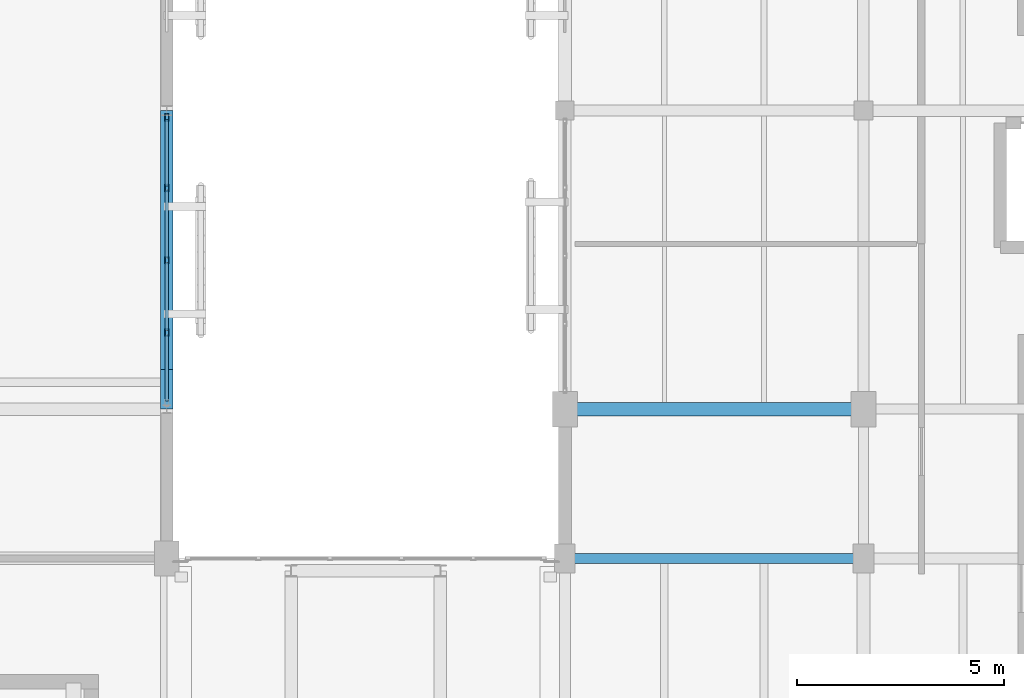
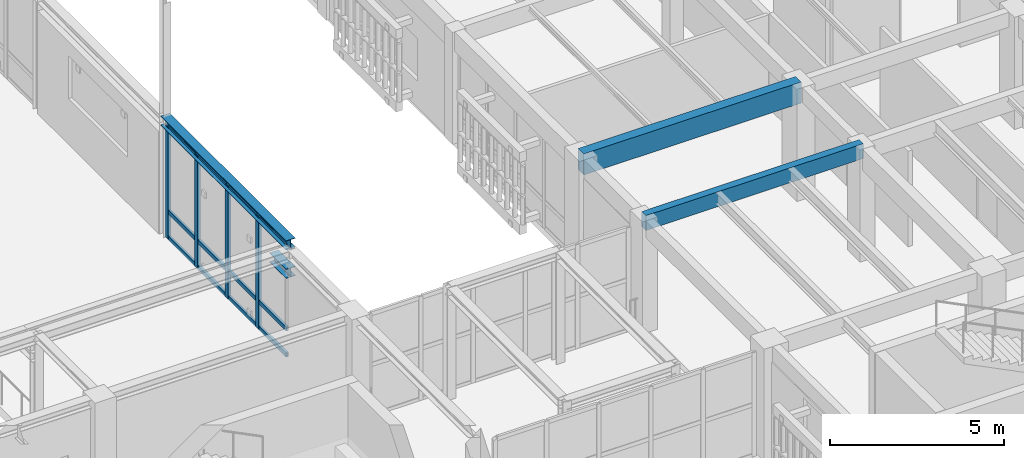
# One storey, part 81 of 170: 16 members, 4 beams, 1 element without a shape of its own.
"""IFC4 building model written with IfcOpenShell, lengths in metres."""

from ifc_helpers import new_model, si_unit, direction, frame, origin, origin_2d, place, context, subcontext, project, spatial, rectangle, hollow_rectangle, i_section, extrude, material, layer, layer_set, material_profile, profile_set, type_object, element, aggregate, save


model = new_model("IFC4")

# Units and contexts
model_context = context("Model", 3, precision=1e-05, world=origin(), true_north=direction((0.0, 1.0)))
body_context = subcontext(model_context, "Body", "Model", "MODEL_VIEW")
ifc_project = project(units=[si_unit("LENGTHUNIT", "METRE"), si_unit("AREAUNIT", "SQUARE_METRE"), si_unit("VOLUMEUNIT", "CUBIC_METRE"), si_unit("PLANEANGLEUNIT", "RADIAN"), si_unit("MASSUNIT", "GRAM", prefix="KILO")], contexts=[model_context])

# Site, building, storey
site_placement = place(None, origin())
site = spatial("IfcSite", under=ifc_project, at=site_placement, CompositionType="ELEMENT")
building_placement = place(site_placement, origin())
building = spatial("IfcBuilding", under=site, at=building_placement, Name="Mazaris Harbour Polytechnic", CompositionType="ELEMENT")
storey_placement = place(building_placement, frame((0.0, 0.0, 5.39990234375)))
storey = spatial("IfcBuildingStorey", under=building, at=storey_placement, Name="L01", CompositionType="ELEMENT", Elevation=5.39990234375)

# Curtain wall, members
ifc_material_1 = material(Name="Anodised Bronze Aluminium and Low-E Glass", Category="aluminium")
ifc_layer = layer(ifc_material_1, 0.14990234375, Name="Anodised Bronze Aluminium and Low-E Glass")
ifc_layer_set = layer_set([ifc_layer], Name="Anodised Bronze Aluminium and Low-E Glass")
curtain_wall_type = type_object("IfcCurtainWallType", Name="Workshop Clerestory Curtain Wall", PredefinedType="NOTDEFINED", material=ifc_layer_set)
curtain_wall_placement = place(storey_placement, origin())
curtain_wall = element("IfcCurtainWall", 1, at=curtain_wall_placement, inside=storey, type_object=curtain_wall_type, Name="V1 L01 Curtain Wall 23", PredefinedType="NOTDEFINED")
ifc_material_2 = material(Name="Anodised Bronze Steel S355", Category="steel")
ifc_material_profile_1 = material_profile(ifc_material_2, hollow_rectangle(XDim=0.10009765625, YDim=0.179931640625, WallThickness=0.008056640625, at=origin_2d()), Name="RHS 100x180x8.0")
ifc_profile_set_1 = profile_set([ifc_material_profile_1], Name="Anodised Bronze Steel S355")
member_type_1 = type_object("IfcMemberType", Name="Curtain Mullion RHS100x180", PredefinedType="MULLION", material=ifc_profile_set_1)
member_1_placement = place(storey_placement, frame((112.800048828125, 93.43310546875, 0.0), z_axis=(0.0, 0.0, 1.0), x_axis=(1.0, 0.0, 0.0)))
member_1 = element("IfcMember", 2, at=member_1_placement, type_object=member_type_1, Name="CW-04 mullion 1", PredefinedType="MULLION", context=body_context, shape_type="SweptSolid", body=[
    extrude(hollow_rectangle(XDim=0.10009765625, YDim=0.179931640625, WallThickness=0.008056640625, at=origin_2d()), origin(), (0.0, 0.0, 1.0), 3.920166015625),
])
member_2_placement = place(storey_placement, frame((112.800048828125, 91.736572265625, 0.0), z_axis=(0.0, 0.0, 1.0), x_axis=(1.0, 0.0, 0.0)))
member_2 = element("IfcMember", 3, at=member_2_placement, type_object=member_type_1, Name="CW-04 mullion 2", PredefinedType="MULLION", context=body_context, shape_type="SweptSolid", body=[
    extrude(hollow_rectangle(XDim=0.10009765625, YDim=0.179931640625, WallThickness=0.008056640625, at=origin_2d()), origin(), (0.0, 0.0, 1.0), 3.920166015625),
])
member_3_placement = place(storey_placement, frame((112.800048828125, 89.989990234375, 0.0), z_axis=(0.0, 0.0, 1.0), x_axis=(1.0, 0.0, 0.0)))
member_3 = element("IfcMember", 4, at=member_3_placement, type_object=member_type_1, Name="CW-04 mullion 3", PredefinedType="MULLION", context=body_context, shape_type="SweptSolid", body=[
    extrude(hollow_rectangle(XDim=0.10009765625, YDim=0.179931640625, WallThickness=0.008056640625, at=origin_2d()), origin(), (0.0, 0.0, 1.0), 3.920166015625),
])
member_4_placement = place(storey_placement, frame((112.800048828125, 88.243408203125, 0.0), z_axis=(0.0, 0.0, 1.0), x_axis=(1.0, 0.0, 0.0)))
member_4 = element("IfcMember", 5, at=member_4_placement, type_object=member_type_1, Name="CW-04 mullion 4", PredefinedType="MULLION", context=body_context, shape_type="SweptSolid", body=[
    extrude(hollow_rectangle(XDim=0.10009765625, YDim=0.179931640625, WallThickness=0.008056640625, at=origin_2d()), origin(), (0.0, 0.0, 1.0), 3.920166015625),
])
ifc_material_3 = material(Name="Anodised Bronze Steel S355", Category="steel")
ifc_material_profile_2 = material_profile(ifc_material_3, hollow_rectangle(XDim=0.080078125, YDim=0.139892578125, WallThickness=0.00634765625, at=origin_2d()), Name="RHS 80x140x6.3")
ifc_profile_set_2 = profile_set([ifc_material_profile_2], Name="Anodised Bronze Steel S355")
member_type_2 = type_object("IfcMemberType", Name="Curtain Transom RHS80x140", PredefinedType="USERDEFINED", material=ifc_profile_set_2)
member_5_placement = place(storey_placement, frame((112.800048828125, 93.383056640625, 0.0400390625), z_axis=(0.0, -1.0, 0.0), x_axis=(1.0, 0.0, 0.0)))
member_5 = element("IfcMember", 6, at=member_5_placement, type_object=member_type_2, Name="CW-04 transom 1.1", ObjectType="TRANSOM", PredefinedType="USERDEFINED", context=body_context, shape_type="SweptSolid", body=[
    extrude(hollow_rectangle(XDim=0.080078125, YDim=0.139892578125, WallThickness=0.00634765625, at=origin_2d()), origin(), (0.0, 0.0, 1.0), 1.596435546875),
])
member_6_placement = place(storey_placement, frame((112.800048828125, 93.383056640625, 0.9501953125), z_axis=(0.0, -1.0, 0.0), x_axis=(1.0, 0.0, 0.0)))
member_6 = element("IfcMember", 7, at=member_6_placement, type_object=member_type_2, Name="CW-04 transom 1.2", ObjectType="TRANSOM", PredefinedType="USERDEFINED", context=body_context, shape_type="SweptSolid", body=[
    extrude(hollow_rectangle(XDim=0.080078125, YDim=0.139892578125, WallThickness=0.00634765625, at=origin_2d()), origin(), (0.0, 0.0, 1.0), 1.596435546875),
])
member_7_placement = place(storey_placement, frame((112.800048828125, 93.383056640625, 3.880126953125), z_axis=(0.0, -1.0, 0.0), x_axis=(1.0, 0.0, 0.0)))
member_7 = element("IfcMember", 8, at=member_7_placement, type_object=member_type_2, Name="CW-04 transom 1.3", ObjectType="TRANSOM", PredefinedType="USERDEFINED", context=body_context, shape_type="SweptSolid", body=[
    extrude(hollow_rectangle(XDim=0.080078125, YDim=0.139892578125, WallThickness=0.00634765625, at=origin_2d()), origin(), (0.0, 0.0, 1.0), 1.596435546875),
])
member_8_placement = place(storey_placement, frame((112.800048828125, 91.6865234375, 0.0400390625), z_axis=(0.0, -1.0, 0.0), x_axis=(1.0, 0.0, 0.0)))
member_8 = element("IfcMember", 9, at=member_8_placement, type_object=member_type_2, Name="CW-04 transom 2.1", ObjectType="TRANSOM", PredefinedType="USERDEFINED", context=body_context, shape_type="SweptSolid", body=[
    extrude(hollow_rectangle(XDim=0.080078125, YDim=0.139892578125, WallThickness=0.00634765625, at=origin_2d()), origin(), (0.0, 0.0, 1.0), 1.646484375),
])
member_9_placement = place(storey_placement, frame((112.800048828125, 91.6865234375, 0.9501953125), z_axis=(0.0, -1.0, 0.0), x_axis=(1.0, 0.0, 0.0)))
member_9 = element("IfcMember", 10, at=member_9_placement, type_object=member_type_2, Name="CW-04 transom 2.2", ObjectType="TRANSOM", PredefinedType="USERDEFINED", context=body_context, shape_type="SweptSolid", body=[
    extrude(hollow_rectangle(XDim=0.080078125, YDim=0.139892578125, WallThickness=0.00634765625, at=origin_2d()), origin(), (0.0, 0.0, 1.0), 1.646484375),
])
member_10_placement = place(storey_placement, frame((112.800048828125, 91.6865234375, 3.880126953125), z_axis=(0.0, -1.0, 0.0), x_axis=(1.0, 0.0, 0.0)))
member_10 = element("IfcMember", 11, at=member_10_placement, type_object=member_type_2, Name="CW-04 transom 2.3", ObjectType="TRANSOM", PredefinedType="USERDEFINED", context=body_context, shape_type="SweptSolid", body=[
    extrude(hollow_rectangle(XDim=0.080078125, YDim=0.139892578125, WallThickness=0.00634765625, at=origin_2d()), origin(), (0.0, 0.0, 1.0), 1.646484375),
])
member_11_placement = place(storey_placement, frame((112.800048828125, 89.93994140625, 0.0400390625), z_axis=(0.0, -1.0, 0.0), x_axis=(1.0, 0.0, 0.0)))
member_11 = element("IfcMember", 12, at=member_11_placement, type_object=member_type_2, Name="CW-04 transom 3.1", ObjectType="TRANSOM", PredefinedType="USERDEFINED", context=body_context, shape_type="SweptSolid", body=[
    extrude(hollow_rectangle(XDim=0.080078125, YDim=0.139892578125, WallThickness=0.00634765625, at=origin_2d()), origin(), (0.0, 0.0, 1.0), 1.646484375),
])
member_12_placement = place(storey_placement, frame((112.800048828125, 89.93994140625, 0.9501953125), z_axis=(0.0, -1.0, 0.0), x_axis=(1.0, 0.0, 0.0)))
member_12 = element("IfcMember", 13, at=member_12_placement, type_object=member_type_2, Name="CW-04 transom 3.2", ObjectType="TRANSOM", PredefinedType="USERDEFINED", context=body_context, shape_type="SweptSolid", body=[
    extrude(hollow_rectangle(XDim=0.080078125, YDim=0.139892578125, WallThickness=0.00634765625, at=origin_2d()), origin(), (0.0, 0.0, 1.0), 1.646484375),
])
member_13_placement = place(storey_placement, frame((112.800048828125, 89.93994140625, 3.880126953125), z_axis=(0.0, -1.0, 0.0), x_axis=(1.0, 0.0, 0.0)))
member_13 = element("IfcMember", 14, at=member_13_placement, type_object=member_type_2, Name="CW-04 transom 3.3", ObjectType="TRANSOM", PredefinedType="USERDEFINED", context=body_context, shape_type="SweptSolid", body=[
    extrude(hollow_rectangle(XDim=0.080078125, YDim=0.139892578125, WallThickness=0.00634765625, at=origin_2d()), origin(), (0.0, 0.0, 1.0), 1.646484375),
])
member_14_placement = place(storey_placement, frame((112.800048828125, 88.193603515625, 0.0400390625), z_axis=(0.0, -1.0, 0.0), x_axis=(1.0, 0.0, 0.0)))
member_14 = element("IfcMember", 15, at=member_14_placement, type_object=member_type_2, Name="CW-04 transom 4.1", ObjectType="TRANSOM", PredefinedType="USERDEFINED", context=body_context, shape_type="SweptSolid", body=[
    extrude(hollow_rectangle(XDim=0.080078125, YDim=0.139892578125, WallThickness=0.00634765625, at=origin_2d()), origin(), (0.0, 0.0, 1.0), 1.5966796875),
])
member_15_placement = place(storey_placement, frame((112.800048828125, 88.193603515625, 0.9501953125), z_axis=(0.0, -1.0, 0.0), x_axis=(1.0, 0.0, 0.0)))
member_15 = element("IfcMember", 16, at=member_15_placement, type_object=member_type_2, Name="CW-04 transom 4.2", ObjectType="TRANSOM", PredefinedType="USERDEFINED", context=body_context, shape_type="SweptSolid", body=[
    extrude(hollow_rectangle(XDim=0.080078125, YDim=0.139892578125, WallThickness=0.00634765625, at=origin_2d()), origin(), (0.0, 0.0, 1.0), 1.5966796875),
])
member_16_placement = place(storey_placement, frame((112.800048828125, 88.193603515625, 3.880126953125), z_axis=(0.0, -1.0, 0.0), x_axis=(1.0, 0.0, 0.0)))
member_16 = element("IfcMember", 17, at=member_16_placement, type_object=member_type_2, Name="CW-04 transom 4.3", ObjectType="TRANSOM", PredefinedType="USERDEFINED", context=body_context, shape_type="SweptSolid", body=[
    extrude(hollow_rectangle(XDim=0.080078125, YDim=0.139892578125, WallThickness=0.00634765625, at=origin_2d()), origin(), (0.0, 0.0, 1.0), 1.5966796875),
])
aggregate(curtain_wall, [member_1, member_2, member_3, member_4, member_5, member_6, member_7, member_8, member_9, member_10, member_11, member_12, member_13, member_14, member_15, member_16])

# Beams
ifc_material_4 = material(Name="Glulam GL32h", Category="wood")
ifc_material_profile_3 = material_profile(ifc_material_4, rectangle(XDim=0.239990234375, YDim=0.52001953125, at=origin_2d()), Name="RECT240x520")
ifc_profile_set_3 = profile_set([ifc_material_profile_3], Name="Glulam GL32h")
beam_type_1 = type_object("IfcBeamType", Name="Glulam Girder 240x520", PredefinedType="BEAM", material=ifc_profile_set_3)
beam_1_placement = place(storey_placement, frame((122.39990234375, 82.800048828125, 3.66015625), z_axis=(1.0, 0.0, 0.0), x_axis=(0.0, 1.0, 0.0)))
element("IfcBeam", 18, at=beam_1_placement, inside=storey, type_object=beam_type_1, Name="V5 L01 Girder 2935", PredefinedType="BEAM", context=body_context, shape_type="SweptSolid", body=[
    extrude(rectangle(XDim=0.239990234375, YDim=0.52001953125, at=origin_2d()), origin(), (0.0, 0.0, 1.0), 7.2001953125),
])
ifc_material_5 = material(Name="Glulam GL32h", Category="wood")
ifc_material_profile_4 = material_profile(ifc_material_5, rectangle(XDim=0.320068359375, YDim=0.739990234375, at=origin_2d()), Name="RECT320x740")
ifc_profile_set_4 = profile_set([ifc_material_profile_4], Name="Glulam GL32h")
beam_type_2 = type_object("IfcBeamType", Name="Glulam Girder 320x740", PredefinedType="BEAM", material=ifc_profile_set_4)
beam_2_placement = place(storey_placement, frame((122.39990234375, 86.39990234375, 3.550048828125), z_axis=(1.0, 0.0, 0.0), x_axis=(0.0, 1.0, 0.0)))
element("IfcBeam", 19, at=beam_2_placement, inside=storey, type_object=beam_type_2, Name="V5 L01 Girder 2939", PredefinedType="BEAM", context=body_context, shape_type="SweptSolid", body=[
    extrude(rectangle(XDim=0.320068359375, YDim=0.739990234375, at=origin_2d()), origin(), (0.0, 0.0, 1.0), 7.2001953125),
])
ifc_material_6 = material(Name="Steel S355", Category="steel")
ifc_material_profile_5 = material_profile(ifc_material_6, i_section(OverallWidth=0.300048828125, OverallDepth=0.330078125, WebThickness=0.009521484375, FlangeThickness=0.0166015625, FilletRadius=0.027099609375, at=origin_2d()), Name="HEA 340")
ifc_profile_set_5 = profile_set([ifc_material_profile_5], Name="Steel S355")
beam_type_3 = type_object("IfcBeamType", Name="Steel Beam HEA340", PredefinedType="BEAM", material=ifc_profile_set_5)
beam_3_placement = place(storey_placement, frame((112.800048828125, 86.39990234375, 3.0400390625), z_axis=(0.0, 1.0, 0.0), x_axis=(-1.0, 0.0, 0.0)))
element("IfcBeam", 20, at=beam_3_placement, inside=storey, type_object=beam_type_3, Name="V1 Crane Corbel Bracket 3562", PredefinedType="BEAM", context=body_context, shape_type="SweptSolid", body=[
    extrude(i_section(OverallWidth=0.300048828125, OverallDepth=0.330078125, WebThickness=0.009521484375, FlangeThickness=0.0166015625, FilletRadius=0.027099609375, at=origin_2d()), origin(), (0.0, 0.0, 1.0), 0.9501953125),
])
ifc_material_7 = material(Name="Steel S355", Category="steel")
ifc_material_profile_6 = material_profile(ifc_material_7, i_section(OverallWidth=0.300048828125, OverallDepth=0.330078125, WebThickness=0.009521484375, FlangeThickness=0.0166015625, FilletRadius=0.027099609375, at=origin_2d()), Name="HEA 340")
ifc_profile_set_6 = profile_set([ifc_material_profile_6], Name="Steel S355")
beam_type_4 = type_object("IfcBeamType", Name="Steel Beam HEA340 Exterior", PredefinedType="BEAM", material=ifc_profile_set_6)
beam_4_placement = place(storey_placement, frame((112.800048828125, 86.39990234375, 4.03515625), z_axis=(0.0, 1.0, 0.0), x_axis=(-1.0, 0.0, 0.0)))
element("IfcBeam", 21, at=beam_4_placement, inside=storey, type_object=beam_type_4, Name="V1 L01 Tie Girder 269", PredefinedType="BEAM", context=body_context, shape_type="SweptSolid", body=[
    extrude(i_section(OverallWidth=0.300048828125, OverallDepth=0.330078125, WebThickness=0.009521484375, FlangeThickness=0.0166015625, FilletRadius=0.027099609375, at=origin_2d()), origin(), (0.0, 0.0, 1.0), 7.2001953125),
])

save(model, "model.ifc")
